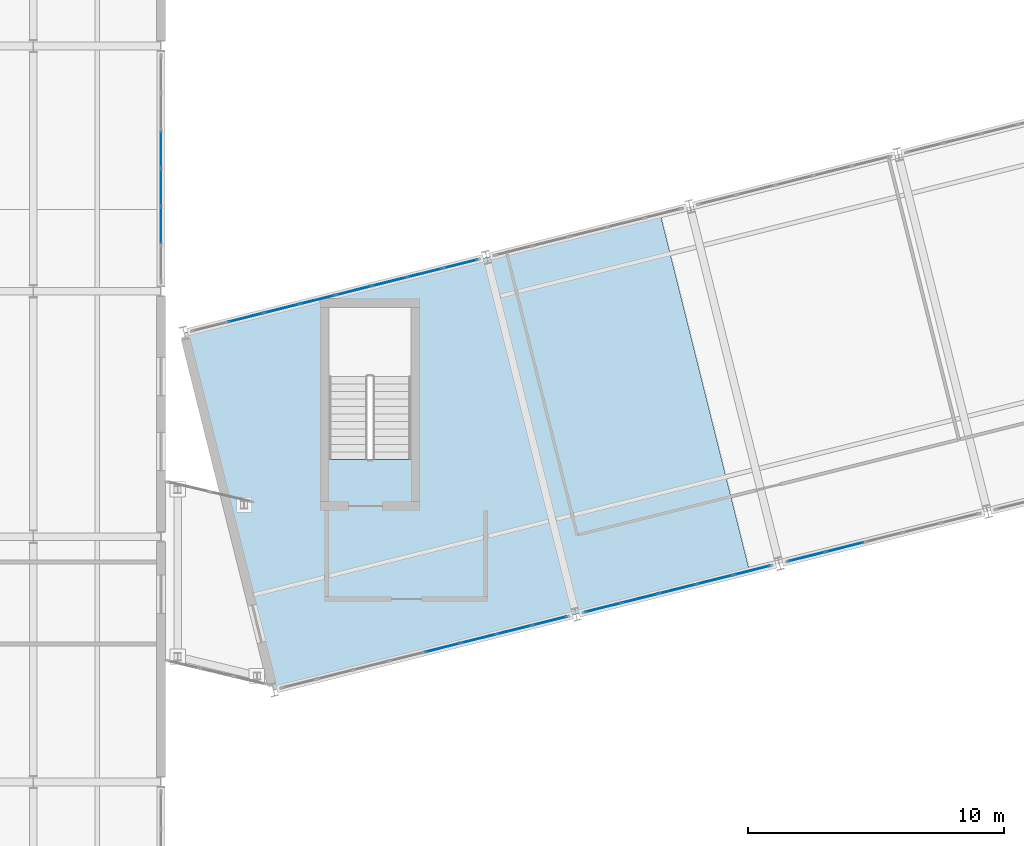
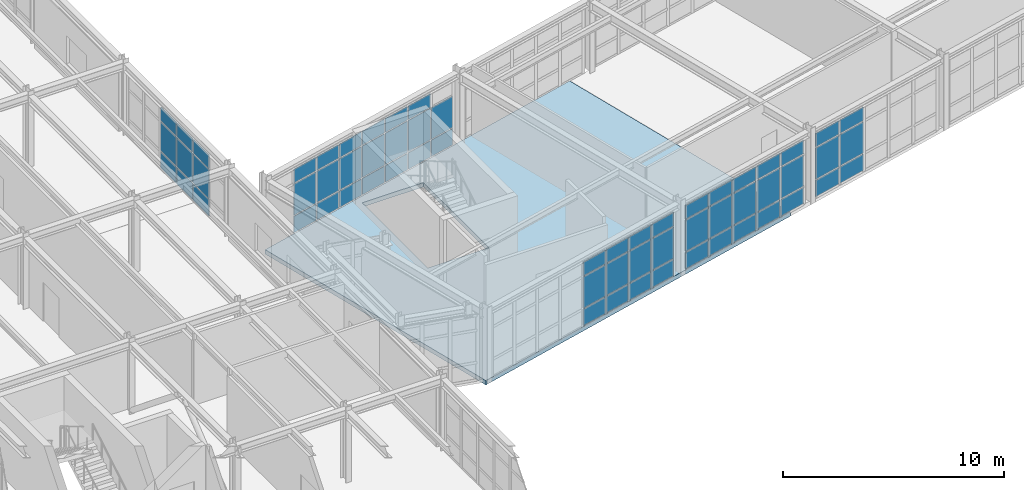
# One storey, part 49 of 88: 62 plates, 1 slab, 5 elements without a shape of their own.
"""IFC4 building model written with IfcOpenShell, lengths in metres."""

from ifc_helpers import new_model, si_unit, direction, frame, origin, origin_2d, place, context, subcontext, project, spatial, polyline, rectangle, outline, extrude, material, layer, layer_set, type_object, element, aggregate, save


model = new_model("IFC4")

# Units and contexts
model_context = context("Model", 3, precision=1e-05, world=origin(), true_north=direction((0.0, 1.0)))
body_context = subcontext(model_context, "Body", "Model", "MODEL_VIEW")
ifc_project = project(units=[si_unit("LENGTHUNIT", "METRE"), si_unit("AREAUNIT", "SQUARE_METRE"), si_unit("VOLUMEUNIT", "CUBIC_METRE"), si_unit("PLANEANGLEUNIT", "RADIAN"), si_unit("MASSUNIT", "GRAM", prefix="KILO")], contexts=[model_context])

# Site, building, storey
site_placement = place(None, origin())
site = spatial("IfcSite", under=ifc_project, at=site_placement, CompositionType="ELEMENT")
building_placement = place(site_placement, origin())
building = spatial("IfcBuilding", under=site, at=building_placement, Name="Nordkorset Police Headquarters", CompositionType="ELEMENT")
storey_placement = place(building_placement, frame((0.0, 0.0, 9.449951171875)))
storey = spatial("IfcBuildingStorey", under=building, at=storey_placement, Name="L02", CompositionType="ELEMENT", Elevation=9.449951171875)

# Curtain wall, plates
ifc_material_1 = material(Name="Aluminium alloy AW-6060", Category="aluminium")
ifc_layer_1 = layer(ifc_material_1, 0.179931640625, Name="Aluminium alloy AW-6060")
ifc_layer_set_1 = layer_set([ifc_layer_1], Name="Aluminium alloy AW-6060")
curtain_wall_type_1 = type_object("IfcCurtainWallType", Name="CW_Unit_888x351", PredefinedType="USERDEFINED", material=ifc_layer_set_1)
curtain_wall_1_placement = place(storey_placement, origin())
curtain_wall_1 = element("IfcCurtainWall", 1, at=curtain_wall_1_placement, inside=storey, type_object=curtain_wall_type_1, Name="Unitised Curtain Wall L02 V3E-3", ObjectType="UNITISED CURTAIN WALL", PredefinedType="USERDEFINED")
ifc_material_2 = material(Name="Low-iron triple glazing", Category="glass")
ifc_layer_2 = layer(ifc_material_2, 0.035888671875, Name="Low-iron triple glazing")
ifc_layer_set_2 = layer_set([ifc_layer_2], Name="Low-iron triple glazing")
plate_type = type_object("IfcPlateType", Name="CW_Panel_TripleGlazing_36", PredefinedType="CURTAIN_PANEL", material=ifc_layer_set_2)
plate_1_placement = place(storey_placement, frame((19.199951171875, 60.179931640625, 0.06494140625), z_axis=(0.0, 0.0, 1.0), x_axis=(0.0, 1.0, 0.0)))
plate_1 = element("IfcPlate", 2, at=plate_1_placement, type_object=plate_type, Name="CW-58 panel 2.1", PredefinedType="CURTAIN_PANEL", context=body_context, shape_type="SweptSolid", body=[
    extrude(rectangle(XDim=1.4150390625, YDim=0.035888671875, at=origin_2d()), origin(), (0.0, 0.0, 1.0), 0.902587890625),
])
plate_2_placement = place(storey_placement, frame((19.199951171875, 60.179931640625, 1.03271484375), z_axis=(0.0, 0.0, 1.0), x_axis=(0.0, 1.0, 0.0)))
plate_2 = element("IfcPlate", 3, at=plate_2_placement, type_object=plate_type, Name="CW-58 panel 2.2", PredefinedType="CURTAIN_PANEL", context=body_context, shape_type="SweptSolid", body=[
    extrude(rectangle(XDim=1.4150390625, YDim=0.035888671875, at=origin_2d()), origin(), (0.0, 0.0, 1.0), 1.594970703125),
])
plate_3_placement = place(storey_placement, frame((19.199951171875, 60.179931640625, 2.692626953125), z_axis=(0.0, 0.0, 1.0), x_axis=(0.0, 1.0, 0.0)))
plate_3 = element("IfcPlate", 4, at=plate_3_placement, type_object=plate_type, Name="CW-58 panel 2.3", PredefinedType="CURTAIN_PANEL", context=body_context, shape_type="SweptSolid", body=[
    extrude(rectangle(XDim=1.4150390625, YDim=0.035888671875, at=origin_2d()), origin(), (0.0, 0.0, 1.0), 0.75244140625),
])
plate_4_placement = place(storey_placement, frame((19.199951171875, 61.659912109375, 0.06494140625), z_axis=(0.0, 0.0, 1.0), x_axis=(0.0, 1.0, 0.0)))
plate_4 = element("IfcPlate", 5, at=plate_4_placement, type_object=plate_type, Name="CW-58 panel 3.1", PredefinedType="CURTAIN_PANEL", context=body_context, shape_type="SweptSolid", body=[
    extrude(rectangle(XDim=1.4150390625, YDim=0.035888671875, at=origin_2d()), origin(), (0.0, 0.0, 1.0), 0.902587890625),
])
plate_5_placement = place(storey_placement, frame((19.199951171875, 61.659912109375, 1.03271484375), z_axis=(0.0, 0.0, 1.0), x_axis=(0.0, 1.0, 0.0)))
plate_5 = element("IfcPlate", 6, at=plate_5_placement, type_object=plate_type, Name="CW-58 panel 3.2", PredefinedType="CURTAIN_PANEL", context=body_context, shape_type="SweptSolid", body=[
    extrude(rectangle(XDim=1.4150390625, YDim=0.035888671875, at=origin_2d()), origin(), (0.0, 0.0, 1.0), 1.594970703125),
])
plate_6_placement = place(storey_placement, frame((19.199951171875, 61.659912109375, 2.692626953125), z_axis=(0.0, 0.0, 1.0), x_axis=(0.0, 1.0, 0.0)))
plate_6 = element("IfcPlate", 7, at=plate_6_placement, type_object=plate_type, Name="CW-58 panel 3.3", PredefinedType="CURTAIN_PANEL", context=body_context, shape_type="SweptSolid", body=[
    extrude(rectangle(XDim=1.4150390625, YDim=0.035888671875, at=origin_2d()), origin(), (0.0, 0.0, 1.0), 0.75244140625),
])
plate_7_placement = place(storey_placement, frame((19.199951171875, 63.139892578125, 0.06494140625), z_axis=(0.0, 0.0, 1.0), x_axis=(0.0, 1.0, 0.0)))
plate_7 = element("IfcPlate", 8, at=plate_7_placement, type_object=plate_type, Name="CW-58 panel 4.1", PredefinedType="CURTAIN_PANEL", context=body_context, shape_type="SweptSolid", body=[
    extrude(rectangle(XDim=1.4150390625, YDim=0.035888671875, at=origin_2d()), origin(), (0.0, 0.0, 1.0), 0.902587890625),
])
plate_8_placement = place(storey_placement, frame((19.199951171875, 63.139892578125, 1.03271484375), z_axis=(0.0, 0.0, 1.0), x_axis=(0.0, 1.0, 0.0)))
plate_8 = element("IfcPlate", 9, at=plate_8_placement, type_object=plate_type, Name="CW-58 panel 4.2", PredefinedType="CURTAIN_PANEL", context=body_context, shape_type="SweptSolid", body=[
    extrude(rectangle(XDim=1.4150390625, YDim=0.035888671875, at=origin_2d()), origin(), (0.0, 0.0, 1.0), 1.594970703125),
])
plate_9_placement = place(storey_placement, frame((19.199951171875, 63.139892578125, 2.692626953125), z_axis=(0.0, 0.0, 1.0), x_axis=(0.0, 1.0, 0.0)))
plate_9 = element("IfcPlate", 10, at=plate_9_placement, type_object=plate_type, Name="CW-58 panel 4.3", PredefinedType="CURTAIN_PANEL", context=body_context, shape_type="SweptSolid", body=[
    extrude(rectangle(XDim=1.4150390625, YDim=0.035888671875, at=origin_2d()), origin(), (0.0, 0.0, 1.0), 0.75244140625),
])
aggregate(curtain_wall_1, [plate_1, plate_2, plate_3, plate_4, plate_5, plate_6, plate_7, plate_8, plate_9])

ifc_material_3 = material(Name="Aluminium alloy AW-6060", Category="aluminium")
ifc_layer_3 = layer(ifc_material_3, 0.179931640625, Name="Aluminium alloy AW-6060")
ifc_layer_set_3 = layer_set([ifc_layer_3], Name="Aluminium alloy AW-6060")
curtain_wall_type_2 = type_object("IfcCurtainWallType", Name="CW_Unit_1156x364", PredefinedType="USERDEFINED", material=ifc_layer_set_3)
curtain_wall_2_placement = place(storey_placement, origin())
curtain_wall_2 = element("IfcCurtainWall", 11, at=curtain_wall_2_placement, inside=storey, type_object=curtain_wall_type_2, Name="Unitised Curtain Wall L02 V4S-0", ObjectType="UNITISED CURTAIN WALL", PredefinedType="USERDEFINED")
plate_10_placement = place(storey_placement, frame((30.21875, 43.65478515625, 0.06494140625), z_axis=(0.0, 0.0, 1.0), x_axis=(0.970142500145, 0.242535625038, 0.0)))
plate_10 = element("IfcPlate", 12, at=plate_10_placement, type_object=plate_type, Name="CW-103 panel 5.1", PredefinedType="CURTAIN_PANEL", context=body_context, shape_type="SweptSolid", body=[
    extrude(rectangle(XDim=1.3798828125, YDim=0.035888671875, at=origin_2d()), origin(), (0.0, 0.0, 1.0), 0.902587890625),
])
plate_11_placement = place(storey_placement, frame((30.21875, 43.65478515625, 1.032470703125), z_axis=(0.0, 0.0, 1.0), x_axis=(0.970142500145, 0.242535625038, 0.0)))
plate_11 = element("IfcPlate", 13, at=plate_11_placement, type_object=plate_type, Name="CW-103 panel 5.2", PredefinedType="CURTAIN_PANEL", context=body_context, shape_type="SweptSolid", body=[
    extrude(rectangle(XDim=1.3798828125, YDim=0.035888671875, at=origin_2d()), origin(), (0.0, 0.0, 1.0), 1.72509765625),
])
plate_12_placement = place(storey_placement, frame((30.21875, 43.65478515625, 2.822509765625), z_axis=(0.0, 0.0, 1.0), x_axis=(0.970142500145, 0.242535625038, 0.0)))
plate_12 = element("IfcPlate", 14, at=plate_12_placement, type_object=plate_type, Name="CW-103 panel 5.3", PredefinedType="CURTAIN_PANEL", context=body_context, shape_type="SweptSolid", body=[
    extrude(rectangle(XDim=1.3798828125, YDim=0.035888671875, at=origin_2d()), origin(), (0.0, 0.0, 1.0), 0.75244140625),
])
plate_13_placement = place(storey_placement, frame((31.62060546875, 44.005126953125, 0.06494140625), z_axis=(0.0, 0.0, 1.0), x_axis=(0.970142500145, 0.242535625038, 0.0)))
plate_13 = element("IfcPlate", 15, at=plate_13_placement, type_object=plate_type, Name="CW-103 panel 6.1", PredefinedType="CURTAIN_PANEL", context=body_context, shape_type="SweptSolid", body=[
    extrude(rectangle(XDim=1.3798828125, YDim=0.035888671875, at=origin_2d()), origin(), (0.0, 0.0, 1.0), 0.902587890625),
])
plate_14_placement = place(storey_placement, frame((31.62060546875, 44.005126953125, 1.032470703125), z_axis=(0.0, 0.0, 1.0), x_axis=(0.970142500145, 0.242535625038, 0.0)))
plate_14 = element("IfcPlate", 16, at=plate_14_placement, type_object=plate_type, Name="CW-103 panel 6.2", PredefinedType="CURTAIN_PANEL", context=body_context, shape_type="SweptSolid", body=[
    extrude(rectangle(XDim=1.3798828125, YDim=0.035888671875, at=origin_2d()), origin(), (0.0, 0.0, 1.0), 1.72509765625),
])
plate_15_placement = place(storey_placement, frame((31.62060546875, 44.005126953125, 2.822509765625), z_axis=(0.0, 0.0, 1.0), x_axis=(0.970142500145, 0.242535625038, 0.0)))
plate_15 = element("IfcPlate", 17, at=plate_15_placement, type_object=plate_type, Name="CW-103 panel 6.3", PredefinedType="CURTAIN_PANEL", context=body_context, shape_type="SweptSolid", body=[
    extrude(rectangle(XDim=1.3798828125, YDim=0.035888671875, at=origin_2d()), origin(), (0.0, 0.0, 1.0), 0.75244140625),
])
plate_16_placement = place(storey_placement, frame((33.0224609375, 44.355712890625, 0.06494140625), z_axis=(0.0, 0.0, 1.0), x_axis=(0.970142500145, 0.242535625038, 0.0)))
plate_16 = element("IfcPlate", 18, at=plate_16_placement, type_object=plate_type, Name="CW-103 panel 7.1", PredefinedType="CURTAIN_PANEL", context=body_context, shape_type="SweptSolid", body=[
    extrude(rectangle(XDim=1.3798828125, YDim=0.035888671875, at=origin_2d()), origin(), (0.0, 0.0, 1.0), 0.902587890625),
])
plate_17_placement = place(storey_placement, frame((33.0224609375, 44.355712890625, 1.032470703125), z_axis=(0.0, 0.0, 1.0), x_axis=(0.970142500145, 0.242535625038, 0.0)))
plate_17 = element("IfcPlate", 19, at=plate_17_placement, type_object=plate_type, Name="CW-103 panel 7.2", PredefinedType="CURTAIN_PANEL", context=body_context, shape_type="SweptSolid", body=[
    extrude(rectangle(XDim=1.3798828125, YDim=0.035888671875, at=origin_2d()), origin(), (0.0, 0.0, 1.0), 1.72509765625),
])
plate_18_placement = place(storey_placement, frame((33.0224609375, 44.355712890625, 2.822509765625), z_axis=(0.0, 0.0, 1.0), x_axis=(0.970142500145, 0.242535625038, 0.0)))
plate_18 = element("IfcPlate", 20, at=plate_18_placement, type_object=plate_type, Name="CW-103 panel 7.3", PredefinedType="CURTAIN_PANEL", context=body_context, shape_type="SweptSolid", body=[
    extrude(rectangle(XDim=1.3798828125, YDim=0.035888671875, at=origin_2d()), origin(), (0.0, 0.0, 1.0), 0.75244140625),
])
plate_19_placement = place(storey_placement, frame((34.40869140625, 44.7021484375, 0.06494140625), z_axis=(0.0, 0.0, 1.0), x_axis=(0.970142500145, 0.242535625038, 0.0)))
plate_19 = element("IfcPlate", 21, at=plate_19_placement, type_object=plate_type, Name="CW-103 panel 8.1", PredefinedType="CURTAIN_PANEL", context=body_context, shape_type="SweptSolid", body=[
    extrude(rectangle(XDim=1.347412109375, YDim=0.035888671875, at=origin_2d()), origin(), (0.0, 0.0, 1.0), 0.902587890625),
])
plate_20_placement = place(storey_placement, frame((34.40869140625, 44.7021484375, 1.032470703125), z_axis=(0.0, 0.0, 1.0), x_axis=(0.970142500145, 0.242535625038, 0.0)))
plate_20 = element("IfcPlate", 22, at=plate_20_placement, type_object=plate_type, Name="CW-103 panel 8.2", PredefinedType="CURTAIN_PANEL", context=body_context, shape_type="SweptSolid", body=[
    extrude(rectangle(XDim=1.347412109375, YDim=0.035888671875, at=origin_2d()), origin(), (0.0, 0.0, 1.0), 1.72509765625),
])
plate_21_placement = place(storey_placement, frame((34.40869140625, 44.7021484375, 2.822509765625), z_axis=(0.0, 0.0, 1.0), x_axis=(0.970142500145, 0.242535625038, 0.0)))
plate_21 = element("IfcPlate", 23, at=plate_21_placement, type_object=plate_type, Name="CW-103 panel 8.3", PredefinedType="CURTAIN_PANEL", context=body_context, shape_type="SweptSolid", body=[
    extrude(rectangle(XDim=1.347412109375, YDim=0.035888671875, at=origin_2d()), origin(), (0.0, 0.0, 1.0), 0.75244140625),
])
aggregate(curtain_wall_2, [plate_10, plate_11, plate_12, plate_13, plate_14, plate_15, plate_16, plate_17, plate_18, plate_19, plate_20, plate_21])

curtain_wall_3_placement = place(storey_placement, origin())
curtain_wall_3 = element("IfcCurtainWall", 24, at=curtain_wall_3_placement, inside=storey, type_object=curtain_wall_type_2, Name="Unitised Curtain Wall L02 V4N-0", ObjectType="UNITISED CURTAIN WALL", PredefinedType="USERDEFINED")
plate_22_placement = place(storey_placement, frame((22.520751953125, 56.5732421875, 0.06494140625), z_axis=(0.0, 0.0, 1.0), x_axis=(0.970142347489, 0.242536235663, 0.0)))
plate_22 = element("IfcPlate", 25, at=plate_22_placement, type_object=plate_type, Name="CW-103 panel 2.1", PredefinedType="CURTAIN_PANEL", context=body_context, shape_type="SweptSolid", body=[
    extrude(rectangle(XDim=1.3798828125, YDim=0.035888671875, at=origin_2d()), origin(), (0.0, 0.0, 1.0), 0.902587890625),
])
plate_23_placement = place(storey_placement, frame((22.520751953125, 56.5732421875, 1.032470703125), z_axis=(0.0, 0.0, 1.0), x_axis=(0.970142347489, 0.242536235663, 0.0)))
plate_23 = element("IfcPlate", 26, at=plate_23_placement, type_object=plate_type, Name="CW-103 panel 2.2", PredefinedType="CURTAIN_PANEL", context=body_context, shape_type="SweptSolid", body=[
    extrude(rectangle(XDim=1.3798828125, YDim=0.035888671875, at=origin_2d()), origin(), (0.0, 0.0, 1.0), 1.72509765625),
])
plate_24_placement = place(storey_placement, frame((22.520751953125, 56.5732421875, 2.822509765625), z_axis=(0.0, 0.0, 1.0), x_axis=(0.970142347489, 0.242536235663, 0.0)))
plate_24 = element("IfcPlate", 27, at=plate_24_placement, type_object=plate_type, Name="CW-103 panel 2.3", PredefinedType="CURTAIN_PANEL", context=body_context, shape_type="SweptSolid", body=[
    extrude(rectangle(XDim=1.3798828125, YDim=0.035888671875, at=origin_2d()), origin(), (0.0, 0.0, 1.0), 0.75244140625),
])
plate_25_placement = place(storey_placement, frame((23.922607421875, 56.923828125, 0.06494140625), z_axis=(0.0, 0.0, 1.0), x_axis=(0.970142347489, 0.242536235663, 0.0)))
plate_25 = element("IfcPlate", 28, at=plate_25_placement, type_object=plate_type, Name="CW-103 panel 3.1", PredefinedType="CURTAIN_PANEL", context=body_context, shape_type="SweptSolid", body=[
    extrude(rectangle(XDim=1.3798828125, YDim=0.035888671875, at=origin_2d()), origin(), (0.0, 0.0, 1.0), 0.902587890625),
])
plate_26_placement = place(storey_placement, frame((23.922607421875, 56.923828125, 1.032470703125), z_axis=(0.0, 0.0, 1.0), x_axis=(0.970142347489, 0.242536235663, 0.0)))
plate_26 = element("IfcPlate", 29, at=plate_26_placement, type_object=plate_type, Name="CW-103 panel 3.2", PredefinedType="CURTAIN_PANEL", context=body_context, shape_type="SweptSolid", body=[
    extrude(rectangle(XDim=1.3798828125, YDim=0.035888671875, at=origin_2d()), origin(), (0.0, 0.0, 1.0), 1.72509765625),
])
plate_27_placement = place(storey_placement, frame((23.922607421875, 56.923828125, 2.822509765625), z_axis=(0.0, 0.0, 1.0), x_axis=(0.970142347489, 0.242536235663, 0.0)))
plate_27 = element("IfcPlate", 30, at=plate_27_placement, type_object=plate_type, Name="CW-103 panel 3.3", PredefinedType="CURTAIN_PANEL", context=body_context, shape_type="SweptSolid", body=[
    extrude(rectangle(XDim=1.3798828125, YDim=0.035888671875, at=origin_2d()), origin(), (0.0, 0.0, 1.0), 0.75244140625),
])
plate_28_placement = place(storey_placement, frame((25.324462890625, 57.274169921875, 0.06494140625), z_axis=(0.0, 0.0, 1.0), x_axis=(0.970142347489, 0.242536235663, 0.0)))
plate_28 = element("IfcPlate", 31, at=plate_28_placement, type_object=plate_type, Name="CW-103 panel 4.1", PredefinedType="CURTAIN_PANEL", context=body_context, shape_type="SweptSolid", body=[
    extrude(rectangle(XDim=1.3798828125, YDim=0.035888671875, at=origin_2d()), origin(), (0.0, 0.0, 1.0), 0.902587890625),
])
plate_29_placement = place(storey_placement, frame((25.324462890625, 57.274169921875, 1.032470703125), z_axis=(0.0, 0.0, 1.0), x_axis=(0.970142347489, 0.242536235663, 0.0)))
plate_29 = element("IfcPlate", 32, at=plate_29_placement, type_object=plate_type, Name="CW-103 panel 4.2", PredefinedType="CURTAIN_PANEL", context=body_context, shape_type="SweptSolid", body=[
    extrude(rectangle(XDim=1.3798828125, YDim=0.035888671875, at=origin_2d()), origin(), (0.0, 0.0, 1.0), 1.72509765625),
])
plate_30_placement = place(storey_placement, frame((25.324462890625, 57.274169921875, 2.822509765625), z_axis=(0.0, 0.0, 1.0), x_axis=(0.970142347489, 0.242536235663, 0.0)))
plate_30 = element("IfcPlate", 33, at=plate_30_placement, type_object=plate_type, Name="CW-103 panel 4.3", PredefinedType="CURTAIN_PANEL", context=body_context, shape_type="SweptSolid", body=[
    extrude(rectangle(XDim=1.3798828125, YDim=0.035888671875, at=origin_2d()), origin(), (0.0, 0.0, 1.0), 0.75244140625),
])
plate_31_placement = place(storey_placement, frame((26.726318359375, 57.624755859375, 0.06494140625), z_axis=(0.0, 0.0, 1.0), x_axis=(0.970142347489, 0.242536235663, 0.0)))
plate_31 = element("IfcPlate", 34, at=plate_31_placement, type_object=plate_type, Name="CW-103 panel 5.1", PredefinedType="CURTAIN_PANEL", context=body_context, shape_type="SweptSolid", body=[
    extrude(rectangle(XDim=1.3798828125, YDim=0.035888671875, at=origin_2d()), origin(), (0.0, 0.0, 1.0), 0.902587890625),
])
plate_32_placement = place(storey_placement, frame((26.726318359375, 57.624755859375, 1.032470703125), z_axis=(0.0, 0.0, 1.0), x_axis=(0.970142347489, 0.242536235663, 0.0)))
plate_32 = element("IfcPlate", 35, at=plate_32_placement, type_object=plate_type, Name="CW-103 panel 5.2", PredefinedType="CURTAIN_PANEL", context=body_context, shape_type="SweptSolid", body=[
    extrude(rectangle(XDim=1.3798828125, YDim=0.035888671875, at=origin_2d()), origin(), (0.0, 0.0, 1.0), 1.72509765625),
])
plate_33_placement = place(storey_placement, frame((26.726318359375, 57.624755859375, 2.822509765625), z_axis=(0.0, 0.0, 1.0), x_axis=(0.970142347489, 0.242536235663, 0.0)))
plate_33 = element("IfcPlate", 36, at=plate_33_placement, type_object=plate_type, Name="CW-103 panel 5.3", PredefinedType="CURTAIN_PANEL", context=body_context, shape_type="SweptSolid", body=[
    extrude(rectangle(XDim=1.3798828125, YDim=0.035888671875, at=origin_2d()), origin(), (0.0, 0.0, 1.0), 0.75244140625),
])
plate_34_placement = place(storey_placement, frame((28.128173828125, 57.97509765625, 0.06494140625), z_axis=(0.0, 0.0, 1.0), x_axis=(0.970142347489, 0.242536235663, 0.0)))
plate_34 = element("IfcPlate", 37, at=plate_34_placement, type_object=plate_type, Name="CW-103 panel 6.1", PredefinedType="CURTAIN_PANEL", context=body_context, shape_type="SweptSolid", body=[
    extrude(rectangle(XDim=1.3798828125, YDim=0.035888671875, at=origin_2d()), origin(), (0.0, 0.0, 1.0), 0.902587890625),
])
plate_35_placement = place(storey_placement, frame((28.128173828125, 57.97509765625, 1.032470703125), z_axis=(0.0, 0.0, 1.0), x_axis=(0.970142347489, 0.242536235663, 0.0)))
plate_35 = element("IfcPlate", 38, at=plate_35_placement, type_object=plate_type, Name="CW-103 panel 6.2", PredefinedType="CURTAIN_PANEL", context=body_context, shape_type="SweptSolid", body=[
    extrude(rectangle(XDim=1.3798828125, YDim=0.035888671875, at=origin_2d()), origin(), (0.0, 0.0, 1.0), 1.72509765625),
])
plate_36_placement = place(storey_placement, frame((28.128173828125, 57.97509765625, 2.822509765625), z_axis=(0.0, 0.0, 1.0), x_axis=(0.970142347489, 0.242536235663, 0.0)))
plate_36 = element("IfcPlate", 39, at=plate_36_placement, type_object=plate_type, Name="CW-103 panel 6.3", PredefinedType="CURTAIN_PANEL", context=body_context, shape_type="SweptSolid", body=[
    extrude(rectangle(XDim=1.3798828125, YDim=0.035888671875, at=origin_2d()), origin(), (0.0, 0.0, 1.0), 0.75244140625),
])
plate_37_placement = place(storey_placement, frame((29.530029296875, 58.32568359375, 0.06494140625), z_axis=(0.0, 0.0, 1.0), x_axis=(0.970142347489, 0.242536235663, 0.0)))
plate_37 = element("IfcPlate", 40, at=plate_37_placement, type_object=plate_type, Name="CW-103 panel 7.1", PredefinedType="CURTAIN_PANEL", context=body_context, shape_type="SweptSolid", body=[
    extrude(rectangle(XDim=1.3798828125, YDim=0.035888671875, at=origin_2d()), origin(), (0.0, 0.0, 1.0), 0.902587890625),
])
plate_38_placement = place(storey_placement, frame((29.530029296875, 58.32568359375, 1.032470703125), z_axis=(0.0, 0.0, 1.0), x_axis=(0.970142347489, 0.242536235663, 0.0)))
plate_38 = element("IfcPlate", 41, at=plate_38_placement, type_object=plate_type, Name="CW-103 panel 7.2", PredefinedType="CURTAIN_PANEL", context=body_context, shape_type="SweptSolid", body=[
    extrude(rectangle(XDim=1.3798828125, YDim=0.035888671875, at=origin_2d()), origin(), (0.0, 0.0, 1.0), 1.72509765625),
])
plate_39_placement = place(storey_placement, frame((29.530029296875, 58.32568359375, 2.822509765625), z_axis=(0.0, 0.0, 1.0), x_axis=(0.970142347489, 0.242536235663, 0.0)))
plate_39 = element("IfcPlate", 42, at=plate_39_placement, type_object=plate_type, Name="CW-103 panel 7.3", PredefinedType="CURTAIN_PANEL", context=body_context, shape_type="SweptSolid", body=[
    extrude(rectangle(XDim=1.3798828125, YDim=0.035888671875, at=origin_2d()), origin(), (0.0, 0.0, 1.0), 0.75244140625),
])
plate_40_placement = place(storey_placement, frame((30.916015625, 58.672119140625, 0.06494140625), z_axis=(0.0, 0.0, 1.0), x_axis=(0.970142347489, 0.242536235663, 0.0)))
plate_40 = element("IfcPlate", 43, at=plate_40_placement, type_object=plate_type, Name="CW-103 panel 8.1", PredefinedType="CURTAIN_PANEL", context=body_context, shape_type="SweptSolid", body=[
    extrude(rectangle(XDim=1.347412109375, YDim=0.035888671875, at=origin_2d()), origin(), (0.0, 0.0, 1.0), 0.902587890625),
])
plate_41_placement = place(storey_placement, frame((30.916015625, 58.672119140625, 1.032470703125), z_axis=(0.0, 0.0, 1.0), x_axis=(0.970142347489, 0.242536235663, 0.0)))
plate_41 = element("IfcPlate", 44, at=plate_41_placement, type_object=plate_type, Name="CW-103 panel 8.2", PredefinedType="CURTAIN_PANEL", context=body_context, shape_type="SweptSolid", body=[
    extrude(rectangle(XDim=1.347412109375, YDim=0.035888671875, at=origin_2d()), origin(), (0.0, 0.0, 1.0), 1.72509765625),
])
aggregate(curtain_wall_3, [plate_22, plate_23, plate_24, plate_25, plate_26, plate_27, plate_28, plate_29, plate_30, plate_31, plate_32, plate_33, plate_34, plate_35, plate_36, plate_37, plate_38, plate_39, plate_40, plate_41])

ifc_material_4 = material(Name="Aluminium alloy AW-6060", Category="aluminium")
ifc_layer_4 = layer(ifc_material_4, 0.179931640625, Name="Aluminium alloy AW-6060")
ifc_layer_set_4 = layer_set([ifc_layer_4], Name="Aluminium alloy AW-6060")
curtain_wall_type_3 = type_object("IfcCurtainWallType", Name="CW_Unit_756x364", PredefinedType="USERDEFINED", material=ifc_layer_set_4)
curtain_wall_4_placement = place(storey_placement, origin())
curtain_wall_4 = element("IfcCurtainWall", 45, at=curtain_wall_4_placement, inside=storey, type_object=curtain_wall_type_3, Name="Unitised Curtain Wall L02 V4S-1", ObjectType="UNITISED CURTAIN WALL", PredefinedType="USERDEFINED")
plate_42_placement = place(storey_placement, frame((36.495361328125, 45.223876953125, 0.06494140625), z_axis=(0.0, 0.0, 1.0), x_axis=(0.970142500145, 0.242535625038, 0.0)))
plate_42 = element("IfcPlate", 46, at=plate_42_placement, type_object=plate_type, Name="CW-10 panel 1.1", PredefinedType="CURTAIN_PANEL", context=body_context, shape_type="SweptSolid", body=[
    extrude(rectangle(XDim=1.41455078125, YDim=0.035888671875, at=origin_2d()), origin(), (0.0, 0.0, 1.0), 0.902587890625),
])
plate_43_placement = place(storey_placement, frame((36.495361328125, 45.223876953125, 1.032470703125), z_axis=(0.0, 0.0, 1.0), x_axis=(0.970142500145, 0.242535625038, 0.0)))
plate_43 = element("IfcPlate", 47, at=plate_43_placement, type_object=plate_type, Name="CW-10 panel 1.2", PredefinedType="CURTAIN_PANEL", context=body_context, shape_type="SweptSolid", body=[
    extrude(rectangle(XDim=1.41455078125, YDim=0.035888671875, at=origin_2d()), origin(), (0.0, 0.0, 1.0), 1.72509765625),
])
plate_44_placement = place(storey_placement, frame((36.495361328125, 45.223876953125, 2.822509765625), z_axis=(0.0, 0.0, 1.0), x_axis=(0.970142500145, 0.242535625038, 0.0)))
plate_44 = element("IfcPlate", 48, at=plate_44_placement, type_object=plate_type, Name="CW-10 panel 1.3", PredefinedType="CURTAIN_PANEL", context=body_context, shape_type="SweptSolid", body=[
    extrude(rectangle(XDim=1.41455078125, YDim=0.035888671875, at=origin_2d()), origin(), (0.0, 0.0, 1.0), 0.75244140625),
])
plate_45_placement = place(storey_placement, frame((37.946533203125, 45.586669921875, 0.06494140625), z_axis=(0.0, 0.0, 1.0), x_axis=(0.970142500145, 0.242535625038, 0.0)))
plate_45 = element("IfcPlate", 49, at=plate_45_placement, type_object=plate_type, Name="CW-10 panel 2.1", PredefinedType="CURTAIN_PANEL", context=body_context, shape_type="SweptSolid", body=[
    extrude(rectangle(XDim=1.447021484375, YDim=0.035888671875, at=origin_2d()), origin(), (0.0, 0.0, 1.0), 0.902587890625),
])
plate_46_placement = place(storey_placement, frame((37.946533203125, 45.586669921875, 1.032470703125), z_axis=(0.0, 0.0, 1.0), x_axis=(0.970142500145, 0.242535625038, 0.0)))
plate_46 = element("IfcPlate", 50, at=plate_46_placement, type_object=plate_type, Name="CW-10 panel 2.2", PredefinedType="CURTAIN_PANEL", context=body_context, shape_type="SweptSolid", body=[
    extrude(rectangle(XDim=1.447021484375, YDim=0.035888671875, at=origin_2d()), origin(), (0.0, 0.0, 1.0), 1.72509765625),
])
plate_47_placement = place(storey_placement, frame((37.946533203125, 45.586669921875, 2.822509765625), z_axis=(0.0, 0.0, 1.0), x_axis=(0.970142500145, 0.242535625038, 0.0)))
plate_47 = element("IfcPlate", 51, at=plate_47_placement, type_object=plate_type, Name="CW-10 panel 2.3", PredefinedType="CURTAIN_PANEL", context=body_context, shape_type="SweptSolid", body=[
    extrude(rectangle(XDim=1.447021484375, YDim=0.035888671875, at=origin_2d()), origin(), (0.0, 0.0, 1.0), 0.75244140625),
])
plate_48_placement = place(storey_placement, frame((39.413330078125, 45.953369140625, 0.06494140625), z_axis=(0.0, 0.0, 1.0), x_axis=(0.970142500145, 0.242535625038, 0.0)))
plate_48 = element("IfcPlate", 52, at=plate_48_placement, type_object=plate_type, Name="CW-10 panel 3.1", PredefinedType="CURTAIN_PANEL", context=body_context, shape_type="SweptSolid", body=[
    extrude(rectangle(XDim=1.447021484375, YDim=0.035888671875, at=origin_2d()), origin(), (0.0, 0.0, 1.0), 0.902587890625),
])
plate_49_placement = place(storey_placement, frame((39.413330078125, 45.953369140625, 1.032470703125), z_axis=(0.0, 0.0, 1.0), x_axis=(0.970142500145, 0.242535625038, 0.0)))
plate_49 = element("IfcPlate", 53, at=plate_49_placement, type_object=plate_type, Name="CW-10 panel 3.2", PredefinedType="CURTAIN_PANEL", context=body_context, shape_type="SweptSolid", body=[
    extrude(rectangle(XDim=1.447021484375, YDim=0.035888671875, at=origin_2d()), origin(), (0.0, 0.0, 1.0), 1.72509765625),
])
plate_50_placement = place(storey_placement, frame((39.413330078125, 45.953369140625, 2.822509765625), z_axis=(0.0, 0.0, 1.0), x_axis=(0.970142500145, 0.242535625038, 0.0)))
plate_50 = element("IfcPlate", 54, at=plate_50_placement, type_object=plate_type, Name="CW-10 panel 3.3", PredefinedType="CURTAIN_PANEL", context=body_context, shape_type="SweptSolid", body=[
    extrude(rectangle(XDim=1.447021484375, YDim=0.035888671875, at=origin_2d()), origin(), (0.0, 0.0, 1.0), 0.75244140625),
])
plate_51_placement = place(storey_placement, frame((40.880126953125, 46.320068359375, 0.06494140625), z_axis=(0.0, 0.0, 1.0), x_axis=(0.970142500145, 0.242535625038, 0.0)))
plate_51 = element("IfcPlate", 55, at=plate_51_placement, type_object=plate_type, Name="CW-10 panel 4.1", PredefinedType="CURTAIN_PANEL", context=body_context, shape_type="SweptSolid", body=[
    extrude(rectangle(XDim=1.447021484375, YDim=0.035888671875, at=origin_2d()), origin(), (0.0, 0.0, 1.0), 0.902587890625),
])
plate_52_placement = place(storey_placement, frame((40.880126953125, 46.320068359375, 1.032470703125), z_axis=(0.0, 0.0, 1.0), x_axis=(0.970142500145, 0.242535625038, 0.0)))
plate_52 = element("IfcPlate", 56, at=plate_52_placement, type_object=plate_type, Name="CW-10 panel 4.2", PredefinedType="CURTAIN_PANEL", context=body_context, shape_type="SweptSolid", body=[
    extrude(rectangle(XDim=1.447021484375, YDim=0.035888671875, at=origin_2d()), origin(), (0.0, 0.0, 1.0), 1.72509765625),
])
plate_53_placement = place(storey_placement, frame((40.880126953125, 46.320068359375, 2.822509765625), z_axis=(0.0, 0.0, 1.0), x_axis=(0.970142500145, 0.242535625038, 0.0)))
plate_53 = element("IfcPlate", 57, at=plate_53_placement, type_object=plate_type, Name="CW-10 panel 4.3", PredefinedType="CURTAIN_PANEL", context=body_context, shape_type="SweptSolid", body=[
    extrude(rectangle(XDim=1.447021484375, YDim=0.035888671875, at=origin_2d()), origin(), (0.0, 0.0, 1.0), 0.75244140625),
])
plate_54_placement = place(storey_placement, frame((42.331298828125, 46.682861328125, 0.06494140625), z_axis=(0.0, 0.0, 1.0), x_axis=(0.970142500145, 0.242535625038, 0.0)))
plate_54 = element("IfcPlate", 58, at=plate_54_placement, type_object=plate_type, Name="CW-10 panel 5.1", PredefinedType="CURTAIN_PANEL", context=body_context, shape_type="SweptSolid", body=[
    extrude(rectangle(XDim=1.41455078125, YDim=0.035888671875, at=origin_2d()), origin(), (0.0, 0.0, 1.0), 0.902587890625),
])
plate_55_placement = place(storey_placement, frame((42.331298828125, 46.682861328125, 1.032470703125), z_axis=(0.0, 0.0, 1.0), x_axis=(0.970142500145, 0.242535625038, 0.0)))
plate_55 = element("IfcPlate", 59, at=plate_55_placement, type_object=plate_type, Name="CW-10 panel 5.2", PredefinedType="CURTAIN_PANEL", context=body_context, shape_type="SweptSolid", body=[
    extrude(rectangle(XDim=1.41455078125, YDim=0.035888671875, at=origin_2d()), origin(), (0.0, 0.0, 1.0), 1.72509765625),
])
plate_56_placement = place(storey_placement, frame((42.331298828125, 46.682861328125, 2.822509765625), z_axis=(0.0, 0.0, 1.0), x_axis=(0.970142500145, 0.242535625038, 0.0)))
plate_56 = element("IfcPlate", 60, at=plate_56_placement, type_object=plate_type, Name="CW-10 panel 5.3", PredefinedType="CURTAIN_PANEL", context=body_context, shape_type="SweptSolid", body=[
    extrude(rectangle(XDim=1.41455078125, YDim=0.035888671875, at=origin_2d()), origin(), (0.0, 0.0, 1.0), 0.75244140625),
])
aggregate(curtain_wall_4, [plate_42, plate_43, plate_44, plate_45, plate_46, plate_47, plate_48, plate_49, plate_50, plate_51, plate_52, plate_53, plate_54, plate_55, plate_56])

ifc_material_5 = material(Name="Aluminium alloy AW-6060", Category="aluminium")
ifc_layer_5 = layer(ifc_material_5, 0.179931640625, Name="Aluminium alloy AW-6060")
ifc_layer_set_5 = layer_set([ifc_layer_5], Name="Aluminium alloy AW-6060")
curtain_wall_type_4 = type_object("IfcCurtainWallType", Name="CW_Unit_776x364", PredefinedType="USERDEFINED", material=ifc_layer_set_5)
curtain_wall_5_placement = place(storey_placement, origin())
curtain_wall_5 = element("IfcCurtainWall", 61, at=curtain_wall_5_placement, inside=storey, type_object=curtain_wall_type_4, Name="Unitised Curtain Wall L02 V4S-2", ObjectType="UNITISED CURTAIN WALL", PredefinedType="USERDEFINED")
plate_57_placement = place(storey_placement, frame((44.469970703125, 47.217529296875, 0.06494140625), z_axis=(0.0, 0.0, 1.0), x_axis=(0.970142727556, 0.24253471539, 0.0)))
plate_57 = element("IfcPlate", 62, at=plate_57_placement, type_object=plate_type, Name="CW-100 panel 1.1", PredefinedType="CURTAIN_PANEL", context=body_context, shape_type="SweptSolid", body=[
    extrude(rectangle(XDim=1.45458984375, YDim=0.035888671875, at=origin_2d()), origin(), (0.0, 0.0, 1.0), 0.902587890625),
])
plate_58_placement = place(storey_placement, frame((44.469970703125, 47.217529296875, 1.032470703125), z_axis=(0.0, 0.0, 1.0), x_axis=(0.970142727556, 0.24253471539, 0.0)))
plate_58 = element("IfcPlate", 63, at=plate_58_placement, type_object=plate_type, Name="CW-100 panel 1.2", PredefinedType="CURTAIN_PANEL", context=body_context, shape_type="SweptSolid", body=[
    extrude(rectangle(XDim=1.45458984375, YDim=0.035888671875, at=origin_2d()), origin(), (0.0, 0.0, 1.0), 1.72509765625),
])
plate_59_placement = place(storey_placement, frame((44.469970703125, 47.217529296875, 2.822509765625), z_axis=(0.0, 0.0, 1.0), x_axis=(0.970142727556, 0.24253471539, 0.0)))
plate_59 = element("IfcPlate", 64, at=plate_59_placement, type_object=plate_type, Name="CW-100 panel 1.3", PredefinedType="CURTAIN_PANEL", context=body_context, shape_type="SweptSolid", body=[
    extrude(rectangle(XDim=1.45458984375, YDim=0.035888671875, at=origin_2d()), origin(), (0.0, 0.0, 1.0), 0.75244140625),
])
plate_60_placement = place(storey_placement, frame((45.9599609375, 47.58984375, 0.06494140625), z_axis=(0.0, 0.0, 1.0), x_axis=(0.970142727556, 0.24253471539, 0.0)))
plate_60 = element("IfcPlate", 65, at=plate_60_placement, type_object=plate_type, Name="CW-100 panel 2.1", PredefinedType="CURTAIN_PANEL", context=body_context, shape_type="SweptSolid", body=[
    extrude(rectangle(XDim=1.487060546875, YDim=0.035888671875, at=origin_2d()), origin(), (0.0, 0.0, 1.0), 0.902587890625),
])
plate_61_placement = place(storey_placement, frame((45.9599609375, 47.58984375, 1.032470703125), z_axis=(0.0, 0.0, 1.0), x_axis=(0.970142727556, 0.24253471539, 0.0)))
plate_61 = element("IfcPlate", 66, at=plate_61_placement, type_object=plate_type, Name="CW-100 panel 2.2", PredefinedType="CURTAIN_PANEL", context=body_context, shape_type="SweptSolid", body=[
    extrude(rectangle(XDim=1.487060546875, YDim=0.035888671875, at=origin_2d()), origin(), (0.0, 0.0, 1.0), 1.72509765625),
])
plate_62_placement = place(storey_placement, frame((45.9599609375, 47.58984375, 2.822509765625), z_axis=(0.0, 0.0, 1.0), x_axis=(0.970142727556, 0.24253471539, 0.0)))
plate_62 = element("IfcPlate", 67, at=plate_62_placement, type_object=plate_type, Name="CW-100 panel 2.3", PredefinedType="CURTAIN_PANEL", context=body_context, shape_type="SweptSolid", body=[
    extrude(rectangle(XDim=1.487060546875, YDim=0.035888671875, at=origin_2d()), origin(), (0.0, 0.0, 1.0), 0.75244140625),
])
aggregate(curtain_wall_5, [plate_57, plate_58, plate_59, plate_60, plate_61, plate_62])

# Slab
ifc_material_6 = material(Name="Concrete C35/45", Category="concrete")
ifc_layer_6 = layer(ifc_material_6, 0.239990234375, Name="Concrete C35/45")
ifc_layer_set_6 = layer_set([ifc_layer_6], Name="Concrete C35/45")
slab_type = type_object("IfcSlabType", Name="Slab_Lab_240", PredefinedType="FLOOR", material=ifc_layer_set_6)
slab_placement = place(storey_placement, frame((0.0, 0.0, -0.239990234375)))
element("IfcSlab", 68, at=slab_placement, inside=storey, type_object=slab_type, Name="Splayed Wing Floor Slab West L02", PredefinedType="FLOOR", context=body_context, shape_type="SweptSolid", body=[
    extrude(outline(polyline([(20.107421875, 55.969970703125), (38.734130859375, 60.626708984375), (42.226806640625, 46.65673828125), (23.60009765625, 42.0), (20.107421875, 55.969970703125)]), holes=[polyline([(28.97509765625, 56.97509765625), (25.77490234375, 56.97509765625), (25.77490234375, 51.028076171875), (28.97509765625, 51.028076171875), (28.97509765625, 56.97509765625)])]), origin(), (0.0, 0.0, 1.0), 0.239990234375),
])

save(model, "model.ifc")
